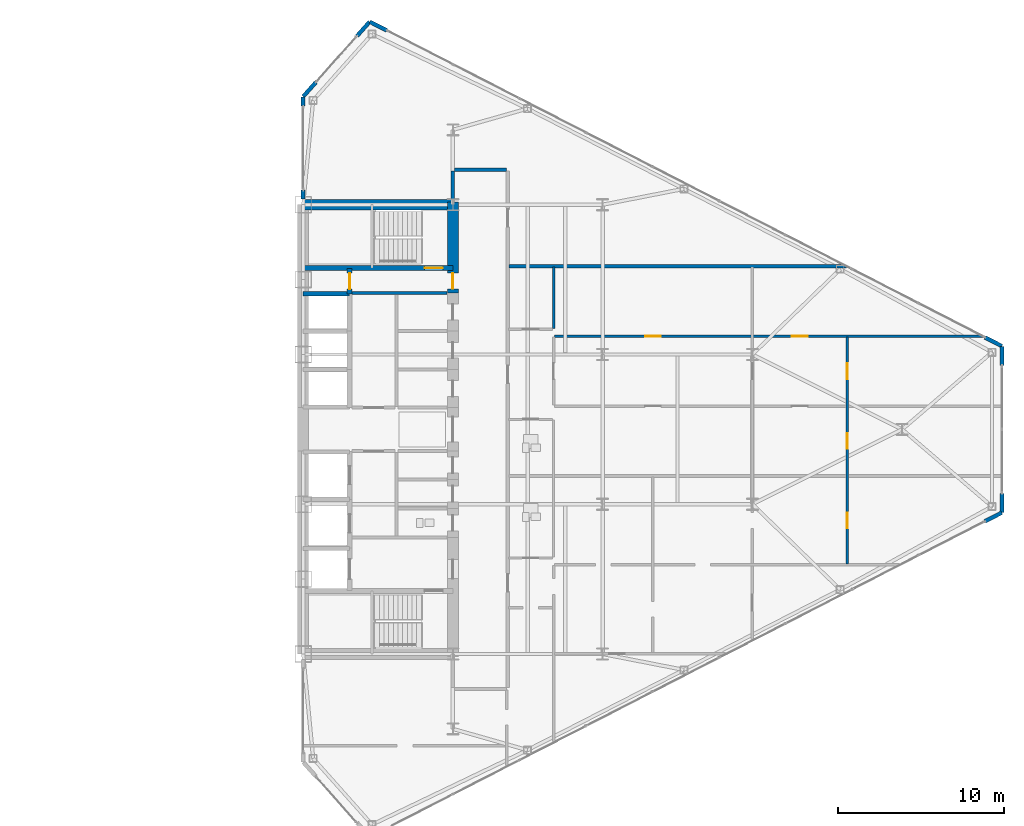
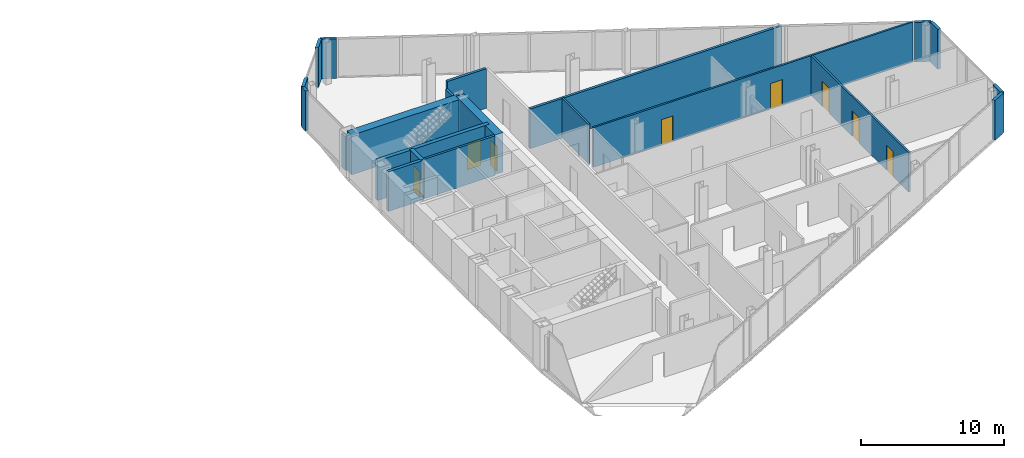
# One storey, part 21 of 24: 21 walls, 8 doors, 8 openings.
"""IFC4 building model written with IfcOpenShell, lengths in metres."""

import ifcopenshell
import ifcopenshell.guid

model = None  # the IFC model being written
_history = None  # IfcOwnerHistory: only IFC2X3 demands one
_inside = {}  # id of a spatial element -> (the spatial element, [elements in it])
_under = {}  # id of a project, library or spatial element -> (it, [spatial elements below it])
_declared = {}  # id of a project -> (the project, [libraries it declares])
_typed = {}  # id of a type object -> (the type object, [elements of that type])
_made_of = {}  # id of a material, layer set ... -> (it, [elements and type objects made of it])


def new_model(schema):
    """Start an empty IFC model of exactly this schema.

    Asked for "IFC4X3", IfcOpenShell would pick the latest addendum, in which some entities
    have other attributes; the version numbers below select the first issue.
    IFC2X3 requires an IfcOwnerHistory on every rooted entity: one is made here for all.
    """
    global model, _history
    if schema == "IFC4X3":
        model = ifcopenshell.file(schema_version=(4, 3, 0, 0))
    else:
        model = ifcopenshell.file(schema=schema)
    _inside.clear()
    _under.clear()
    _declared.clear()
    _typed.clear()
    _made_of.clear()
    _history = None
    if model.schema == "IFC2X3":
        org = make("IfcOrganization", Name="unknown")
        user = make(
            "IfcPersonAndOrganization",
            ThePerson=make("IfcPerson", FamilyName="unknown"),
            TheOrganization=org,
        )
        app = make(
            "IfcApplication",
            ApplicationDeveloper=org,
            Version="unknown",
            ApplicationFullName="unknown",
            ApplicationIdentifier="unknown",
        )
        _history = make(
            "IfcOwnerHistory",
            OwningUser=user,
            OwningApplication=app,
            ChangeAction="ADDED",
            CreationDate=0,
        )
    return model


def make(cls, **values):
    """One entity of the class cls with the attributes given. An attribute that is None is left unset."""
    return model.create_entity(
        cls, **{name: value for name, value in values.items() if value is not None}
    )


def rooted(cls, **values):
    """An entity with a GlobalId (a new one), such as an element, a storey or a relation."""
    return make(cls, GlobalId=ifcopenshell.guid.new(), OwnerHistory=_history, **values)


def si_unit(unit_type, name, prefix=None):
    """IfcSIUnit, for example si_unit("LENGTHUNIT", "METRE", prefix="MILLI")."""
    return make("IfcSIUnit", UnitType=unit_type, Prefix=prefix, Name=name)


def assignment(units):
    """IfcUnitAssignment: the units of a project."""
    return None if units is None else make("IfcUnitAssignment", Units=units)


def point(xyz):
    """IfcCartesianPoint."""
    return None if xyz is None else make("IfcCartesianPoint", Coordinates=xyz)


def direction(xyz):
    """IfcDirection."""
    return None if xyz is None else make("IfcDirection", DirectionRatios=xyz)


def frame(location, z_axis=None, x_axis=None):
    """IfcAxis2Placement3D, a coordinate frame: its origin and axes. An axis left out is left unset."""
    return make(
        "IfcAxis2Placement3D",
        Location=point(location),
        Axis=direction(z_axis),
        RefDirection=direction(x_axis),
    )


def frame_2d(location, x_axis=None):
    """IfcAxis2Placement2D, a coordinate frame in the plane: its origin and x axis."""
    return make(
        "IfcAxis2Placement2D", Location=point(location), RefDirection=direction(x_axis)
    )


def origin():
    """The frame at (0, 0, 0) with its axes left unset."""
    return frame((0.0, 0.0, 0.0))


def place(relative_to, where):
    """IfcLocalPlacement: puts the frame where relative to a parent placement (None: the world)."""
    return make(
        "IfcLocalPlacement", PlacementRelTo=relative_to, RelativePlacement=where
    )


def context(
    kind, dimensions, precision=None, world=None, true_north=None, identifier=None
):
    """IfcGeometricRepresentationContext, for example the 3D "Model" context."""
    return make(
        "IfcGeometricRepresentationContext",
        ContextIdentifier=identifier,
        ContextType=kind,
        CoordinateSpaceDimension=dimensions,
        Precision=precision,
        WorldCoordinateSystem=world,
        TrueNorth=true_north,
    )


def subcontext(parent, identifier, kind, view, scale=None):
    """IfcGeometricRepresentationSubContext, for example "Body" below "Model"."""
    return make(
        "IfcGeometricRepresentationSubContext",
        ContextIdentifier=identifier,
        ContextType=kind,
        ParentContext=parent,
        TargetScale=scale,
        TargetView=view,
    )


def project(units=None, contexts=None):
    """IfcProject with its units and contexts."""
    return rooted(
        "IfcProject",
        Name="project",
        RepresentationContexts=contexts,
        UnitsInContext=assignment(units),
    )


def spatial(cls, under=None, at=None, **own):
    """A site, building, storey or space (cls), placed at a placement, below another one or the project."""
    s = rooted(cls, ObjectPlacement=at, **own)
    if under is not None:
        _under.setdefault(under.id(), (under, []))[1].append(s)
    return s


def profile(cls, at=None, kind="AREA", **sizes):
    """A parametric profile (cls). Its sizes go by their IFC names, for example OverallWidth=200.0."""
    return make(cls, ProfileType=kind, Position=at, **sizes)


def rectangle(**sizes):
    """IfcRectangleProfileDef."""
    return profile("IfcRectangleProfileDef", **sizes)


def extrude(swept, where, along, depth):
    """IfcExtrudedAreaSolid: the profile swept, set in the frame where, extruded along a direction by depth."""
    return make(
        "IfcExtrudedAreaSolid",
        SweptArea=swept,
        Position=where,
        ExtrudedDirection=direction(along),
        Depth=depth,
    )


def shape(context_of_items, identifier, shape_type, items):
    """IfcShapeRepresentation: the items that make up one representation, for example the "Body"."""
    return make(
        "IfcShapeRepresentation",
        ContextOfItems=context_of_items,
        RepresentationIdentifier=identifier,
        RepresentationType=shape_type,
        Items=items,
    )


def source(mapping_origin, context_of_items, identifier, shape_type, items):
    """IfcRepresentationMap: a shape defined once, which mapped items show again and again."""
    return make(
        "IfcRepresentationMap",
        MappingOrigin=mapping_origin,
        MappedRepresentation=shape(context_of_items, identifier, shape_type, items),
    )


def transform(
    local_origin,
    x_axis=None,
    y_axis=None,
    z_axis=None,
    scale=None,
    scale2=None,
    scale3=None,
    uniform=True,
):
    """IfcCartesianTransformationOperator3D, or its non-uniform kind. x_axis, y_axis, z_axis: its Axis1, 2, 3."""
    if uniform:
        return make(
            "IfcCartesianTransformationOperator3D",
            Axis1=direction(x_axis),
            Axis2=direction(y_axis),
            LocalOrigin=point(local_origin),
            Scale=scale,
            Axis3=direction(z_axis),
        )
    return make(
        "IfcCartesianTransformationOperator3DnonUniform",
        Axis1=direction(x_axis),
        Axis2=direction(y_axis),
        LocalOrigin=point(local_origin),
        Scale=scale,
        Axis3=direction(z_axis),
        Scale2=scale2,
        Scale3=scale3,
    )


def mapped(mapping_source, mapping_target):
    """IfcMappedItem: shows the shape of a source again, moved by a transform."""
    return make(
        "IfcMappedItem", MappingSource=mapping_source, MappingTarget=mapping_target
    )


def material(Name=None, Category=None):
    """IfcMaterial."""
    return make("IfcMaterial", Name=Name, Category=Category)


def layer(
    of_material, thickness, ventilated=None, Name=None, Category=None, Priority=None
):
    """IfcMaterialLayer: one layer of a wall or slab, of a material (None: an air gap)."""
    return make(
        "IfcMaterialLayer",
        Material=of_material,
        LayerThickness=thickness,
        IsVentilated=ventilated,
        Name=Name,
        Category=Category,
        Priority=Priority,
    )


def layer_set(layers, Name=None):
    """IfcMaterialLayerSet."""
    return make("IfcMaterialLayerSet", MaterialLayers=layers, LayerSetName=Name)


def made_of(thing, what):
    """Note that an element or type object is made of a material, layer set ...; save() writes the relation."""
    if what is not None:
        _made_of.setdefault(what.id(), (what, []))[1].append(thing)
    return thing


def type_object(cls, material=None, **own):
    """A type object (cls), such as IfcWallType, which elements share."""
    return made_of(rooted(cls, **own), material)


def type_shapes(of_type, sources):
    """Give a type object the sources (RepresentationMaps) that its elements show as mapped items."""
    of_type.RepresentationMaps = sources


def element(
    cls,
    number,
    at=None,
    inside=None,
    cuts=None,
    type_object=None,
    material=None,
    context=None,
    identifier="Body",
    shape_type=None,
    held_by="IfcProductDefinitionShape",
    body=None,
    shapes=None,
    **own,
):
    """One element of the class cls, such as IfcWall. Its Tag is "e" and its number.

    at: its placement. inside: the storey or other place that contains it. cuts: it is an
    opening in that element (IfcRelVoidsElement). A single representation is given by context,
    identifier, shape_type and body (its items); several are given by shapes. held_by: the class
    of the entity that holds the representations. save() writes the other relations.
    """
    e = rooted(cls, Tag="e%d" % number, ObjectPlacement=at, **own)
    if body is not None:
        shapes = [shape(context, identifier, shape_type, body)]
    if shapes is not None:
        e.Representation = make(held_by, Representations=shapes)
    if inside is not None:
        _inside.setdefault(inside.id(), (inside, []))[1].append(e)
    if cuts is not None:
        rooted(
            "IfcRelVoidsElement", RelatingBuildingElement=cuts, RelatedOpeningElement=e
        )
    if type_object is not None:
        _typed.setdefault(type_object.id(), (type_object, []))[1].append(e)
    return made_of(e, material)


def fill(opening, filler):
    """IfcRelFillsElement: the door or window that sits in an opening."""
    return rooted(
        "IfcRelFillsElement",
        RelatingOpeningElement=opening,
        RelatedBuildingElement=filler,
    )


def aggregate(whole, parts):
    """IfcRelAggregates: a whole, such as a stair, and the parts it consists of."""
    return rooted("IfcRelAggregates", RelatingObject=whole, RelatedObjects=parts)


def save(model, path):
    """Write the relations noted so far, then the file.

    IfcRelAggregates (storeys below a building ...), IfcRelContainedInSpatialStructure (elements
    in a storey), IfcRelDefinesByType, IfcRelAssociatesMaterial and IfcRelDeclares: one each for
    every whole, place, type object, material and project.
    """
    for whole, parts in _under.values():
        aggregate(whole, parts)
    for where, things in _inside.values():
        rooted(
            "IfcRelContainedInSpatialStructure",
            RelatedElements=things,
            RelatingStructure=where,
        )
    for kind, things in _typed.values():
        rooted("IfcRelDefinesByType", RelatedObjects=things, RelatingType=kind)
    for what, things in _made_of.values():
        rooted("IfcRelAssociatesMaterial", RelatedObjects=things, RelatingMaterial=what)
    for by, libraries in _declared.values():
        rooted("IfcRelDeclares", RelatingContext=by, RelatedDefinitions=libraries)
    model.write(path)


model = new_model("IFC4")

# Units and contexts
model_context = context("Model", 3, precision=1e-05, world=origin(), true_north=direction((0.0, 1.0)))
body_context = subcontext(model_context, "Body", "Model", "MODEL_VIEW")
ifc_project = project(units=[si_unit("LENGTHUNIT", "METRE"), si_unit("AREAUNIT", "SQUARE_METRE"), si_unit("VOLUMEUNIT", "CUBIC_METRE"), si_unit("PLANEANGLEUNIT", "RADIAN"), si_unit("MASSUNIT", "GRAM", prefix="KILO")], contexts=[model_context])

# Site, building, storey
site_placement = place(None, origin())
site = spatial("IfcSite", under=ifc_project, at=site_placement, CompositionType="ELEMENT")
building_placement = place(site_placement, origin())
building = spatial("IfcBuilding", under=site, at=building_placement, Name="Seokmaru Belvedere", CompositionType="ELEMENT")
storey_placement = place(building_placement, frame((0.0, 0.0, 124.800048828125)))
storey = spatial("IfcBuildingStorey", under=building, at=storey_placement, Name="L33", CompositionType="ELEMENT", Elevation=124.800048828125)

# Wall, openings, doors
ifc_material_1 = material(Name="Fire-Rated Gypsum Shaftwall")
ifc_layer_1 = layer(ifc_material_1, 0.14990234375)
ifc_layer_set_1 = layer_set([ifc_layer_1], Name="Fire-Rated Gypsum Shaftwall")
wall_type_1 = type_object("IfcWallType", Name="Apartment Fire-Acoustic Room Partition 150", PredefinedType="PARTITIONING", material=ifc_layer_set_1)
wall_1_placement = place(storey_placement, frame((42.60009765625, 5.60009765625, 0.0), z_axis=(0.0, 0.0, 1.0), x_axis=(1.0, 0.0, 0.0)))
wall_1 = element("IfcWall", 1, at=wall_1_placement, inside=storey, type_object=wall_type_1, Name="L33 Interior Partition 017", PredefinedType="PARTITIONING", context=body_context, shape_type="SweptSolid", body=[
    extrude(rectangle(XDim=25.765869140625, YDim=0.14990234375, at=frame_2d((12.8828125, 0.0))), origin(), (0.0, 0.0, 1.0), 3.3798828125),
])
opening_1_placement = place(wall_1_placement, frame((5.449951171875, 0.0, 0.0)))
opening_1 = element("IfcOpeningElement", 2, at=opening_1_placement, cuts=wall_1, Name="Opening D05", PredefinedType="OPENING", context=body_context, shape_type="SweptSolid", body=[
    extrude(rectangle(XDim=0.949951171875, YDim=2.14990234375, at=frame_2d((0.47509765625, 1.074951171875))), frame((0.0, 0.0849609375, 0.0), z_axis=(0.0, -1.0, 0.0), x_axis=(1.0, 0.0, 0.0)), (0.0, 0.0, 1.0), 0.169921875),
])
opening_2_placement = place(wall_1_placement, frame((14.27490234375, 0.0, 0.0)))
opening_2 = element("IfcOpeningElement", 3, at=opening_2_placement, cuts=wall_1, Name="Opening D05", PredefinedType="OPENING", context=body_context, shape_type="SweptSolid", body=[
    extrude(rectangle(XDim=0.949951171875, YDim=2.14990234375, at=frame_2d((0.47509765625, 1.074951171875))), frame((0.0, 0.0849609375, 0.0), z_axis=(0.0, -1.0, 0.0), x_axis=(1.0, 0.0, 0.0)), (0.0, 0.0, 1.0), 0.169921875),
])
ifc_material_2 = material(Name="Engineered White Oak Timber", Category="wood")
door_type_1 = type_object("IfcDoorType", Name="Apartment Interior Fire-Rated Oak Door 950x2150", OperationType="NOTDEFINED", PredefinedType="DOOR", material=ifc_material_2)
shared_shape_1 = source(origin(), body_context, "Body", "SweptSolid", [
    extrude(rectangle(XDim=0.949951171875, YDim=2.14990234375, at=frame_2d((0.47509765625, 1.074951171875))), frame((0.0, 0.02490234375, 0.0), z_axis=(0.0, -1.0, 0.0), x_axis=(1.0, 0.0, 0.0)), (0.0, 0.0, 1.0), 0.050048828125),
])
type_shapes(door_type_1, [shared_shape_1])
door_1_placement = place(opening_1_placement, origin())
door_1 = element("IfcDoor", 4, at=door_1_placement, inside=storey, type_object=door_type_1, Name="L33 Interior Door 048", OperationType="SINGLE_SWING_LEFT", OverallHeight=2.14990234375, OverallWidth=0.949951171875, PredefinedType="DOOR", context=body_context, shape_type="MappedRepresentation", body=[
    mapped(shared_shape_1, transform((0.0, 0.0, 0.0), scale=1.0)),
])
fill(opening_1, door_1)
door_2_placement = place(opening_2_placement, origin())
door_2 = element("IfcDoor", 5, at=door_2_placement, inside=storey, type_object=door_type_1, Name="L33 Interior Door 052", OperationType="SINGLE_SWING_LEFT", OverallHeight=2.14990234375, OverallWidth=0.949951171875, PredefinedType="DOOR", context=body_context, shape_type="MappedRepresentation", body=[
    mapped(shared_shape_1, transform((0.0, 0.0, 0.0), scale=1.0)),
])
fill(opening_2, door_2)

# Wall
wall_2_placement = place(storey_placement, frame((42.550048828125, 6.072021484375, 0.0), z_axis=(0.0, 0.0, 1.0), x_axis=(0.0, 1.0, 0.0)))
element("IfcWall", 6, at=wall_2_placement, inside=storey, type_object=wall_type_1, Name="L33 Interior Partition 044", PredefinedType="PARTITIONING", context=body_context, shape_type="SweptSolid", body=[
    extrude(rectangle(XDim=3.677978515625, YDim=0.14990234375, at=frame_2d((1.8388671875, 0.0))), origin(), (0.0, 0.0, 1.0), 3.3798828125),
])

# Wall, openings, doors
wall_3_placement = place(storey_placement, frame((60.199951171875, -8.093017578125, 0.0), z_axis=(0.0, 0.0, 1.0), x_axis=(0.0, 1.0, 0.0)))
wall_3 = element("IfcWall", 7, at=wall_3_placement, inside=storey, type_object=wall_type_1, Name="L33 Interior Partition 047", PredefinedType="PARTITIONING", context=body_context, shape_type="SweptSolid", body=[
    extrude(rectangle(XDim=13.64306640625, YDim=0.14990234375, at=frame_2d((6.821533203125, 0.0))), origin(), (0.0, 0.0, 1.0), 3.3798828125),
])
opening_3_placement = place(wall_3_placement, frame((2.146484375, 0.0, 0.0)))
opening_3 = element("IfcOpeningElement", 8, at=opening_3_placement, cuts=wall_3, Name="Opening D05", PredefinedType="OPENING", context=body_context, shape_type="SweptSolid", body=[
    extrude(rectangle(XDim=0.949951171875, YDim=2.14990234375, at=frame_2d((0.47509765625, 1.074951171875))), frame((0.0, 0.0849609375, 0.0), z_axis=(0.0, -1.0, 0.0), x_axis=(1.0, 0.0, 0.0)), (0.0, 0.0, 1.0), 0.169921875),
])
opening_4_placement = place(wall_3_placement, frame((6.91796875, 0.0, 0.0)))
opening_4 = element("IfcOpeningElement", 9, at=opening_4_placement, cuts=wall_3, Name="Opening D05", PredefinedType="OPENING", context=body_context, shape_type="SweptSolid", body=[
    extrude(rectangle(XDim=0.949951171875, YDim=2.14990234375, at=frame_2d((0.47509765625, 1.074951171875))), frame((0.0, 0.0849609375, 0.0), z_axis=(0.0, -1.0, 0.0), x_axis=(1.0, 0.0, 0.0)), (0.0, 0.0, 1.0), 0.169921875),
])
opening_5_placement = place(wall_3_placement, frame((11.117919921875, 0.0, 0.0)))
opening_5 = element("IfcOpeningElement", 10, at=opening_5_placement, cuts=wall_3, Name="Opening D05", PredefinedType="OPENING", context=body_context, shape_type="SweptSolid", body=[
    extrude(rectangle(XDim=0.949951171875, YDim=2.14990234375, at=frame_2d((0.47509765625, 1.074951171875))), frame((0.0, 0.0849609375, 0.0), z_axis=(0.0, -1.0, 0.0), x_axis=(1.0, 0.0, 0.0)), (0.0, 0.0, 1.0), 0.169921875),
])
door_3_placement = place(opening_3_placement, origin())
door_3 = element("IfcDoor", 11, at=door_3_placement, inside=storey, type_object=door_type_1, Name="L33 Interior Door 039", OperationType="SINGLE_SWING_LEFT", OverallHeight=2.14990234375, OverallWidth=0.949951171875, PredefinedType="DOOR", context=body_context, shape_type="MappedRepresentation", body=[
    mapped(shared_shape_1, transform((0.0, 0.0, 0.0), scale=1.0)),
])
fill(opening_3, door_3)
door_4_placement = place(opening_4_placement, origin())
door_4 = element("IfcDoor", 12, at=door_4_placement, inside=storey, type_object=door_type_1, Name="L33 Interior Door 050", OperationType="SINGLE_SWING_LEFT", OverallHeight=2.14990234375, OverallWidth=0.949951171875, PredefinedType="DOOR", context=body_context, shape_type="MappedRepresentation", body=[
    mapped(shared_shape_1, transform((0.0, 0.0, 0.0), scale=1.0)),
])
fill(opening_4, door_4)
door_5_placement = place(opening_5_placement, origin())
door_5 = element("IfcDoor", 13, at=door_5_placement, inside=storey, type_object=door_type_1, Name="L33 Interior Door 051", OperationType="SINGLE_SWING_LEFT", OverallHeight=2.14990234375, OverallWidth=0.949951171875, PredefinedType="DOOR", context=body_context, shape_type="MappedRepresentation", body=[
    mapped(shared_shape_1, transform((0.0, 0.0, 0.0), scale=1.0)),
])
fill(opening_5, door_5)

# Walls
ifc_layer_2 = layer(ifc_material_1, 0.179931640625)
ifc_layer_set_2 = layer_set([ifc_layer_2], Name="Fire-Rated Gypsum Shaftwall")
wall_type_2 = type_object("IfcWallType", Name="Core Service Fire Partition 180", PredefinedType="PARTITIONING", material=ifc_layer_set_2)
wall_4_placement = place(storey_placement, frame((30.449951171875, 8.199951171875, 0.0), z_axis=(0.0, 0.0, 1.0), x_axis=(1.0, 0.0, 0.0)))
element("IfcWall", 14, at=wall_4_placement, inside=storey, type_object=wall_type_2, Name="L33 East Smokeproof Vestibule Partition", PredefinedType="PARTITIONING", context=body_context, shape_type="SweptSolid", body=[
    extrude(rectangle(XDim=5.699951171875, YDim=0.179931640625, at=frame_2d((2.85009765625, 0.0))), origin(), (0.0, 0.0, 1.0), 3.3798828125),
])
ifc_material_3 = material(Name="Concrete C50 (50 MPa)", Category="concrete")
ifc_layer_3 = layer(ifc_material_3, 0.25)
ifc_layer_set_3 = layer_set([ifc_layer_3], Name="Concrete C50 (50 MPa)")
wall_type_3 = type_object("IfcWallType", Name="Hoistway Transverse Concrete Divider Wall 250", PredefinedType="SHEAR", material=ifc_layer_set_3)
wall_5_placement = place(storey_placement, frame((27.5, 8.14990234375, 0.0), z_axis=(0.0, 0.0, 1.0), x_axis=(1.0, 0.0, 0.0)))
element("IfcWall", 15, at=wall_5_placement, inside=storey, type_object=wall_type_3, Name="L33 East Hoistway Divider Core Wall 7", PredefinedType="SHEAR", context=body_context, shape_type="SweptSolid", body=[
    extrude(rectangle(XDim=2.800048828125, YDim=0.25, at=frame_2d((1.39990234375, 0.0))), origin(), (0.0, 0.0, 1.0), 3.3798828125),
])
ifc_layer_4 = layer(ifc_material_1, 0.199951171875)
ifc_layer_set_4 = layer_set([ifc_layer_4], Name="Fire-Rated Gypsum Shaftwall")
wall_type_4 = type_object("IfcWallType", Name="Inter-Tenancy Fire Compartment Partition 200", PredefinedType="PARTITIONING", material=ifc_layer_set_4)
wall_6_placement = place(storey_placement, frame((39.8798828125, 9.800048828125, 0.0), z_axis=(0.0, 0.0, 1.0), x_axis=(1.0, 0.0, 0.0)))
element("IfcWall", 16, at=wall_6_placement, inside=storey, type_object=wall_type_4, Name="L33 Interior Partition 021", PredefinedType="PARTITIONING", context=body_context, shape_type="SweptSolid", body=[
    extrude(rectangle(XDim=20.277099609375, YDim=0.199951171875, at=frame_2d((10.138671875, 0.0))), origin(), (0.0, 0.0, 1.0), 3.3798828125),
])
wall_7_placement = place(storey_placement, frame((36.5849609375, 15.60009765625, 0.0), z_axis=(0.0, 0.0, 1.0), x_axis=(1.0, 0.0, 0.0)))
element("IfcWall", 17, at=wall_7_placement, inside=storey, type_object=wall_type_4, Name="L33 Interior Partition 025", PredefinedType="PARTITIONING", context=body_context, shape_type="SweptSolid", body=[
    extrude(rectangle(XDim=3.130126953125, YDim=0.199951171875, at=frame_2d((1.56494140625, 0.0))), origin(), (0.0, 0.0, 1.0), 3.3798828125),
])
wall_8_placement = place(storey_placement, frame((36.5, 13.830078125, 0.0), z_axis=(0.0, 0.0, 1.0), x_axis=(0.0, 1.0, 0.0)))
element("IfcWall", 18, at=wall_8_placement, inside=storey, type_object=wall_type_4, Name="L33 Interior Partition 038", PredefinedType="PARTITIONING", context=body_context, shape_type="SweptSolid", body=[
    extrude(rectangle(XDim=1.684814453125, YDim=0.199951171875, at=frame_2d((0.84228515625, 0.0))), origin(), (0.0, 0.0, 1.0), 2.780029296875),
])

# Wall, opening, door
ifc_layer_5 = layer(ifc_material_3, 0.300048828125)
ifc_layer_set_5 = layer_set([ifc_layer_5], Name="Concrete C50 (50 MPa)")
wall_type_5 = type_object("IfcWallType", Name="Internal Core Stair and Hoistway Wall 300", PredefinedType="SHEAR", material=ifc_layer_set_5)
wall_9_placement = place(storey_placement, frame((27.5, 9.699951171875, 0.0), z_axis=(0.0, 0.0, 1.0), x_axis=(1.0, 0.0, 0.0)))
wall_9 = element("IfcWall", 19, at=wall_9_placement, inside=storey, type_object=wall_type_5, Name="L33 East Stair ST-2 Enclosure Wall", PredefinedType="SHEAR", context=body_context, shape_type="SweptSolid", body=[
    extrude(rectangle(XDim=9.0, YDim=0.300048828125, at=frame_2d((4.5, 0.0))), origin(), (0.0, 0.0, 1.0), 3.3798828125),
])
opening_6_placement = place(wall_9_placement, frame((7.300048828125, 0.0, 0.0)))
opening_6 = element("IfcOpeningElement", 20, at=opening_6_placement, cuts=wall_9, Name="Opening D01", PredefinedType="OPENING", context=body_context, shape_type="SweptSolid", body=[
    extrude(rectangle(XDim=1.10009765625, YDim=2.199951171875, at=frame_2d((0.550048828125, 1.10009765625))), frame((0.0, 0.16015625, 0.0), z_axis=(0.0, -1.0, 0.0), x_axis=(1.0, 0.0, 0.0)), (0.0, 0.0, 1.0), 0.320068359375),
])
ifc_material_4 = material(Name="Fire-Rated Steel Leaf", Category="steel")
door_type_2 = type_object("IfcDoorType", Name="Special Escape Stair Smokeproof Fire Door 1100x2200", OperationType="NOTDEFINED", PredefinedType="DOOR", material=ifc_material_4)
shared_shape_2 = source(origin(), body_context, "Body", "SweptSolid", [
    extrude(rectangle(XDim=1.10009765625, YDim=2.199951171875, at=frame_2d((0.550048828125, 1.10009765625))), frame((0.0, 0.02490234375, 0.0), z_axis=(0.0, -1.0, 0.0), x_axis=(1.0, 0.0, 0.0)), (0.0, 0.0, 1.0), 0.050048828125),
])
type_shapes(door_type_2, [shared_shape_2])
door_6_placement = place(opening_6_placement, origin())
door_6 = element("IfcDoor", 21, at=door_6_placement, inside=storey, type_object=door_type_2, Name="L33 East Special Escape Stair ST-2 Door", OperationType="SINGLE_SWING_LEFT", OverallHeight=2.199951171875, OverallWidth=1.10009765625, PredefinedType="DOOR", context=body_context, shape_type="MappedRepresentation", body=[
    mapped(shared_shape_2, transform((0.0, 0.0, 0.0), scale=1.0)),
])
fill(opening_6, door_6)

wall_10_placement = place(storey_placement, frame((30.300048828125, 8.14990234375, 0.0), z_axis=(0.0, 0.0, 1.0), x_axis=(0.0, 1.0, 0.0)))
wall_10 = element("IfcWall", 22, at=wall_10_placement, inside=storey, type_object=wall_type_5, Name="L33 East Electrical Riser Front Wall", PredefinedType="SHEAR", context=body_context, shape_type="SweptSolid", body=[
    extrude(rectangle(XDim=1.530029296875, YDim=0.300048828125, at=frame_2d((0.76513671875, 0.0))), origin(), (0.0, 0.0, 1.0), 3.3798828125),
])
opening_7_placement = place(wall_10_placement, frame((0.284912109375, 0.0, 0.0)))
opening_7 = element("IfcOpeningElement", 23, at=opening_7_placement, cuts=wall_10, Name="Opening D04", PredefinedType="OPENING", context=body_context, shape_type="SweptSolid", body=[
    extrude(rectangle(XDim=0.949951171875, YDim=2.14990234375, at=frame_2d((0.47509765625, 1.074951171875))), frame((0.0, 0.16015625, 0.0), z_axis=(0.0, -1.0, 0.0), x_axis=(1.0, 0.0, 0.0)), (0.0, 0.0, 1.0), 0.320068359375),
])
door_type_3 = type_object("IfcDoorType", Name="Core Service Room Fire Door 950x2150", OperationType="NOTDEFINED", PredefinedType="DOOR", material=ifc_material_4)
shared_shape_3 = source(origin(), body_context, "Body", "SweptSolid", [
    extrude(rectangle(XDim=0.949951171875, YDim=2.14990234375, at=frame_2d((0.47509765625, 1.074951171875))), frame((0.0, 0.02490234375, 0.0), z_axis=(0.0, -1.0, 0.0), x_axis=(1.0, 0.0, 0.0)), (0.0, 0.0, 1.0), 0.050048828125),
])
type_shapes(door_type_3, [shared_shape_3])
door_7_placement = place(opening_7_placement, origin())
door_7 = element("IfcDoor", 24, at=door_7_placement, inside=storey, type_object=door_type_3, Name="L33 East Electrical Riser Access Door", OperationType="SINGLE_SWING_RIGHT", OverallHeight=2.14990234375, OverallWidth=0.949951171875, PredefinedType="DOOR", context=body_context, shape_type="MappedRepresentation", body=[
    mapped(shared_shape_3, transform((0.0, 0.0, 0.0), scale=1.0)),
])
fill(opening_7, door_7)

# Wall
ifc_material_5 = material(Name="Concrete C60 (60 MPa)", Category="concrete")
ifc_layer_6 = layer(ifc_material_5, 0.64990234375)
ifc_layer_set_6 = layer_set([ifc_layer_6], Name="Concrete C60 (60 MPa)")
wall_type_6 = type_object("IfcWallType", Name="Mid-Low Reinforced Concrete Core Wall 650", PredefinedType="SHEAR", material=ifc_layer_set_6)
wall_11_placement = place(storey_placement, frame((27.5, 13.5, 0.0), z_axis=(0.0, 0.0, 1.0), x_axis=(1.0, 0.0, 0.0)))
element("IfcWall", 25, at=wall_11_placement, inside=storey, type_object=wall_type_6, Name="L33 East North Core Wall", PredefinedType="SHEAR", context=body_context, shape_type="SweptSolid", body=[
    extrude(rectangle(XDim=9.0, YDim=0.64990234375, at=frame_2d((4.5, 0.0))), origin(), (0.0, 0.0, 1.0), 3.3798828125),
])

# Wall, opening, door
wall_12_placement = place(storey_placement, frame((36.5, 8.199951171875, 0.0), z_axis=(0.0, 0.0, 1.0), x_axis=(0.0, 1.0, 0.0)))
wall_12 = element("IfcWall", 26, at=wall_12_placement, inside=storey, type_object=wall_type_6, Name="L33 East West Core Wall VST", PredefinedType="SHEAR", context=body_context, shape_type="SweptSolid", body=[
    extrude(rectangle(XDim=5.449951171875, YDim=0.64990234375, at=frame_2d((2.72509765625, 0.0))), origin(), (0.0, 0.0, 1.0), 3.3798828125),
])
opening_8_placement = place(wall_12_placement, frame((0.2451171875, 0.0, 0.0)))
opening_8 = element("IfcOpeningElement", 27, at=opening_8_placement, cuts=wall_12, Name="Opening D04", PredefinedType="OPENING", context=body_context, shape_type="SweptSolid", body=[
    extrude(rectangle(XDim=0.949951171875, YDim=2.14990234375, at=frame_2d((0.47509765625, 1.074951171875))), frame((0.0, 0.3349609375, 0.0), z_axis=(0.0, -1.0, 0.0), x_axis=(1.0, 0.0, 0.0)), (0.0, 0.0, 1.0), 0.669921875),
])
door_8_placement = place(opening_8_placement, origin())
door_8 = element("IfcDoor", 28, at=door_8_placement, inside=storey, type_object=door_type_3, Name="L33 East Smokeproof Vestibule Door", OperationType="SINGLE_SWING_LEFT", OverallHeight=2.14990234375, OverallWidth=0.949951171875, PredefinedType="DOOR", context=body_context, shape_type="MappedRepresentation", body=[
    mapped(shared_shape_3, transform((0.0, 0.0, 0.0), scale=1.0)),
])
fill(opening_8, door_8)

# Walls
ifc_material_6 = material(Name="Anodised Bronze Aluminium", Category="aluminium")
ifc_layer_7 = layer(ifc_material_6, 0.239990234375)
ifc_layer_set_7 = layer_set([ifc_layer_7], Name="Anodised Bronze Aluminium")
wall_type_7 = type_object("IfcWallType", Name="Tower Corner Spandrel Closure Wall 240", PredefinedType="SOLIDWALL", material=ifc_layer_set_7)
wall_13_placement = place(storey_placement, frame((68.476806640625, -5.52490234375, 0.0), z_axis=(0.0, 0.0, 1.0), x_axis=(0.889797395748, 0.456355776255, 0.0)))
element("IfcWall", 29, at=wall_13_placement, inside=storey, type_object=wall_type_7, Name="L33 E Corner Closure Pier 1B", PredefinedType="SOLIDWALL", context=body_context, shape_type="SweptSolid", body=[
    extrude(rectangle(XDim=1.14013671875, YDim=0.239990234375, at=frame_2d((0.570068359375, 0.0))), origin(), (0.0, 0.0, 1.0), 3.3798828125),
])
for number, where, z_axis, x_axis, name in (
    (30, (69.5, -4.989990234375, 0.0), (0.0, 0.0, 1.0), (0.0, 1.0, 0.0), "L33 E Corner Closure Pier 2A"),
    (31, (69.5, 3.85009765625, 0.0), (0.0, 0.0, 1.0), (0.0, 1.0, 0.0), "L33 E Corner Closure Pier 2B"),
):
    element("IfcWall", number, at=place(storey_placement, frame(where, z_axis=z_axis, x_axis=x_axis)), inside=storey, type_object=wall_type_7, Name=name, PredefinedType="SOLIDWALL", context=body_context, shape_type="SweptSolid", body=[
        extrude(rectangle(XDim=1.139892578125, YDim=0.239990234375, at=frame_2d((0.56982421875, 0.0))), origin(), (0.0, 0.0, 1.0), 3.3798828125),
    ])
for number, where, z_axis, x_axis, name in (
    (32, (69.4912109375, 5.004638671875, 0.0), (0.0, 0.0, 1.0), (-0.889797395748, 0.456355776255, 0.0), "L33 E Corner Closure Pier 3A"),
    (33, (32.523193359375, 23.97509765625, 0.0), (0.0, 0.0, 1.0), (-0.889797395748, 0.456355776255, 0.0), "L33 E Corner Closure Pier 3B"),
):
    element("IfcWall", number, at=place(storey_placement, frame(where, z_axis=z_axis, x_axis=x_axis)), inside=storey, type_object=wall_type_7, Name=name, PredefinedType="SOLIDWALL", context=body_context, shape_type="SweptSolid", body=[
        extrude(rectangle(XDim=1.14013671875, YDim=0.239990234375, at=frame_2d((0.570068359375, 0.0))), origin(), (0.0, 0.0, 1.0), 3.3798828125),
    ])
for number, where, z_axis, x_axis, name in (
    (34, (31.493408203125, 24.492431640625, 0.0), (0.0, 0.0, 1.0), (-0.664337252513, -0.747432950119, 0.0), "L33 E Corner Closure Pier 4A"),
    (35, (28.263916015625, 20.859619140625, 0.0), (0.0, 0.0, 1.0), (-0.664337252513, -0.747432950119, 0.0), "L33 E Corner Closure Pier 4B"),
):
    element("IfcWall", number, at=place(storey_placement, frame(where, z_axis=z_axis, x_axis=x_axis)), inside=storey, type_object=wall_type_7, Name=name, PredefinedType="SOLIDWALL", context=body_context, shape_type="SweptSolid", body=[
        extrude(rectangle(XDim=1.139892578125, YDim=0.239990234375, at=frame_2d((0.56982421875, 0.0))), origin(), (0.0, 0.0, 1.0), 3.3798828125),
    ])
wall_14_placement = place(storey_placement, frame((27.5, 13.830078125, 0.0), z_axis=(0.0, 0.0, 1.0), x_axis=(0.0, 1.0, 0.0)))
element("IfcWall", 36, at=wall_14_placement, inside=storey, type_object=wall_type_7, Name="L33 E Spine Closure Pier 2A", PredefinedType="SOLIDWALL", context=body_context, shape_type="SweptSolid", body=[
    extrude(rectangle(XDim=0.5498046875, YDim=0.239990234375, at=frame_2d((0.27490234375, 0.0))), origin(), (0.0, 0.0, 1.0), 2.8798828125),
])
wall_15_placement = place(storey_placement, frame((27.5, 19.429931640625, 0.0), z_axis=(0.0, 0.0, 1.0), x_axis=(0.0, 1.0, 0.0)))
element("IfcWall", 37, at=wall_15_placement, inside=storey, type_object=wall_type_7, Name="L33 E Spine Closure Pier 2B", PredefinedType="SOLIDWALL", context=body_context, shape_type="SweptSolid", body=[
    extrude(rectangle(XDim=0.550048828125, YDim=0.239990234375, at=frame_2d((0.27490234375, 0.0))), origin(), (0.0, 0.0, 1.0), 3.3798828125),
])

save(model, "model.ifc")
